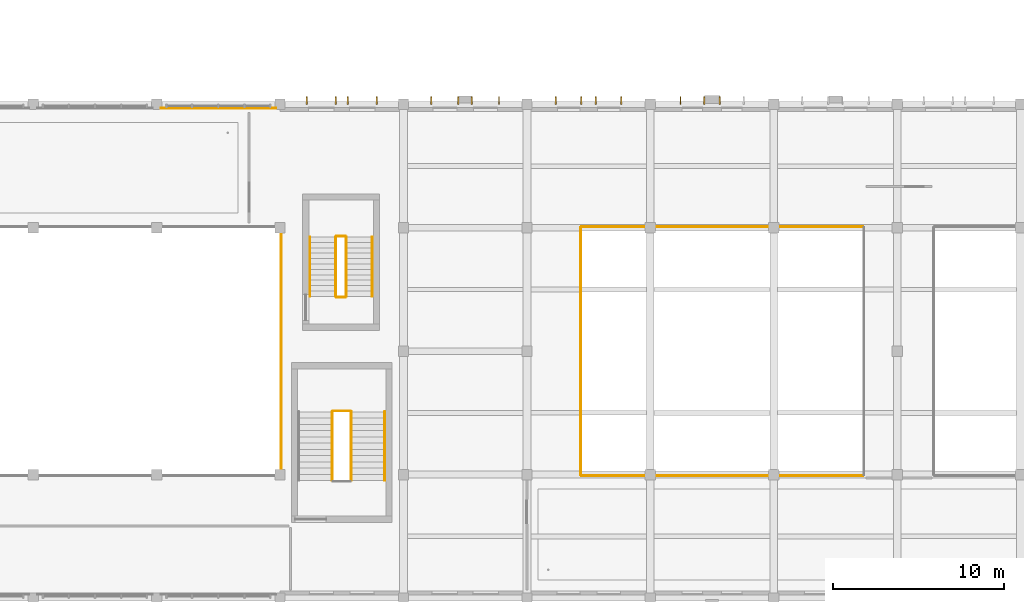
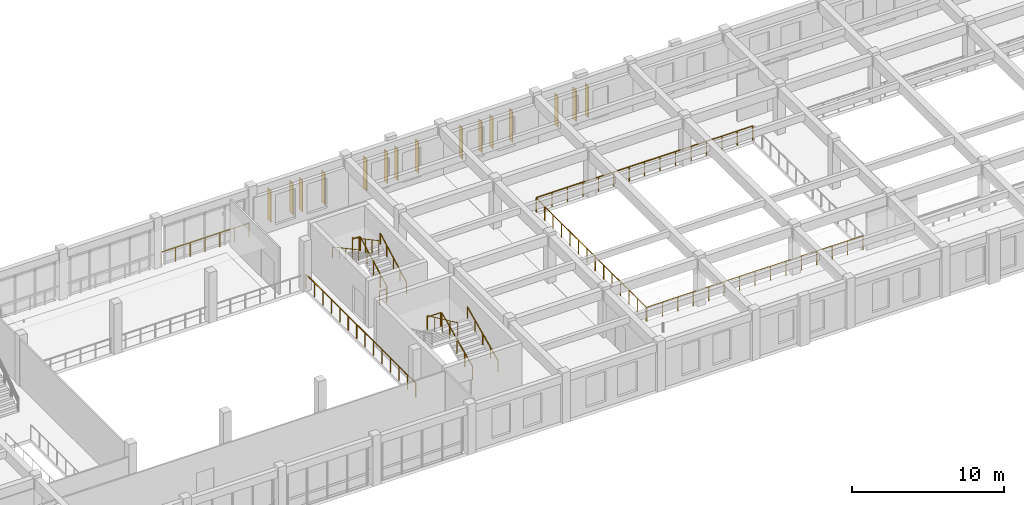
# One storey, part 75 of 88: 15 coverings, 15 railings.
"""IFC4 building model written with IfcOpenShell, lengths in metres."""

from ifc_helpers import new_model, si_unit, direction, frame, origin, origin_2d, place, context, subcontext, project, spatial, polyline, circle, outline, extrude, material, layer, layer_set, type_object, element, save


model = new_model("IFC4")

# Units and contexts
model_context = context("Model", 3, precision=1e-05, world=origin(), true_north=direction((0.0, 1.0)))
body_context = subcontext(model_context, "Body", "Model", "MODEL_VIEW")
ifc_project = project(units=[si_unit("LENGTHUNIT", "METRE"), si_unit("AREAUNIT", "SQUARE_METRE"), si_unit("VOLUMEUNIT", "CUBIC_METRE"), si_unit("PLANEANGLEUNIT", "RADIAN"), si_unit("MASSUNIT", "GRAM", prefix="KILO")], contexts=[model_context])

# Site, building, storey
site_placement = place(None, origin())
site = spatial("IfcSite", under=ifc_project, at=site_placement, CompositionType="ELEMENT")
building_placement = place(site_placement, origin())
building = spatial("IfcBuilding", under=site, at=building_placement, Name="Alvorim Cloister Faculty of Sciences", CompositionType="ELEMENT")
storey_placement = place(building_placement, frame((0.0, 0.0, 4.5)))
storey = spatial("IfcBuildingStorey", under=building, at=storey_placement, Name="L01", CompositionType="ELEMENT", Elevation=4.5)

# Coverings
ifc_material_1 = material(Name="Anodised Aluminium Alloy 6063-T6", Category="aluminium")
ifc_layer = layer(ifc_material_1, 0.054931640625)
ifc_layer_set = layer_set([ifc_layer], Name="Anodised Aluminium Alloy 6063-T6")
covering_type = type_object("IfcCoveringType", Name="COV-SHD-FIN", PredefinedType="CLADDING", material=ifc_layer_set)
for number, where, z_axis, x_axis, name in (
    (1, (102.360107421875, 28.800048828125, 0.389892578125), (0.0, 0.0, 1.0), (0.0, 1.0, 0.0), "L01 Brise-Soleil Vertical Fin COV-FIN-00574"),
    (2, (104.0400390625, 28.800048828125, 0.389892578125), (0.0, 0.0, 1.0), (0.0, 1.0, 0.0), "L01 Brise-Soleil Vertical Fin COV-FIN-00575"),
    (3, (104.760009765625, 28.800048828125, 0.389892578125), (0.0, 0.0, 1.0), (0.0, 1.0, 0.0), "L01 Brise-Soleil Vertical Fin COV-FIN-00576"),
    (4, (106.43994140625, 28.800048828125, 0.389892578125), (0.0, 0.0, 1.0), (0.0, 1.0, 0.0), "L01 Brise-Soleil Vertical Fin COV-FIN-00577"),
):
    element("IfcCovering", number, at=place(storey_placement, frame(where, z_axis=z_axis, x_axis=x_axis)), inside=storey, type_object=covering_type, Name=name, PredefinedType="CLADDING", context=body_context, shape_type="SweptSolid", body=[
        extrude(outline(polyline([(0.0, 0.0), (0.43994140625, 0.0), (0.43994140625, 2.56005859375), (0.0, 2.56005859375), (0.0, 0.0)])), frame((0.0, 0.02734375, 0.0), z_axis=(0.0, -1.0, 0.0), x_axis=(1.0, 0.0, 0.0)), (0.0, 0.0, 1.0), 0.054931640625),
    ])
for number, where, z_axis, x_axis, name in (
    (5, (109.626708984375, 28.800048828125, 0.389892578125), (0.0, 0.0, 1.0), (0.0, 1.0, 0.0), "L01 Brise-Soleil Vertical Fin COV-FIN-00578"),
    (6, (111.206787109375, 28.800048828125, 0.389892578125), (0.0, 0.0, 1.0), (0.0, 1.0, 0.0), "L01 Brise-Soleil Vertical Fin COV-FIN-00579"),
    (7, (111.993408203125, 28.800048828125, 0.389892578125), (0.0, 0.0, 1.0), (0.0, 1.0, 0.0), "L01 Brise-Soleil Vertical Fin COV-FIN-00580"),
    (8, (113.5732421875, 28.800048828125, 0.389892578125), (0.0, 0.0, 1.0), (0.0, 1.0, 0.0), "L01 Brise-Soleil Vertical Fin COV-FIN-00581"),
):
    element("IfcCovering", number, at=place(storey_placement, frame(where, z_axis=z_axis, x_axis=x_axis)), inside=storey, type_object=covering_type, Name=name, PredefinedType="CLADDING", context=body_context, shape_type="SweptSolid", body=[
        extrude(outline(polyline([(0.0, 0.0), (0.43994140625, 0.0), (0.43994140625, 2.5400390625), (0.0, 2.5400390625), (0.0, 0.0)])), frame((0.0, 0.02734375, 0.0), z_axis=(0.0, -1.0, 0.0), x_axis=(1.0, 0.0, 0.0)), (0.0, 0.0, 1.0), 0.054931640625),
    ])
for number, where, z_axis, x_axis, name in (
    (9, (116.893310546875, 28.800048828125, 0.389892578125), (0.0, 0.0, 1.0), (0.0, 1.0, 0.0), "L01 Brise-Soleil Vertical Fin COV-FIN-00582"),
    (10, (118.373291015625, 28.800048828125, 0.389892578125), (0.0, 0.0, 1.0), (0.0, 1.0, 0.0), "L01 Brise-Soleil Vertical Fin COV-FIN-00583"),
    (11, (119.226806640625, 28.800048828125, 0.389892578125), (0.0, 0.0, 1.0), (0.0, 1.0, 0.0), "L01 Brise-Soleil Vertical Fin COV-FIN-00584"),
    (12, (120.706787109375, 28.800048828125, 0.389892578125), (0.0, 0.0, 1.0), (0.0, 1.0, 0.0), "L01 Brise-Soleil Vertical Fin COV-FIN-00585"),
    (13, (124.159912109375, 28.800048828125, 0.389892578125), (0.0, 0.0, 1.0), (0.0, 1.0, 0.0), "L01 Brise-Soleil Vertical Fin COV-FIN-00586"),
    (14, (125.5400390625, 28.800048828125, 0.389892578125), (0.0, 0.0, 1.0), (0.0, 1.0, 0.0), "L01 Brise-Soleil Vertical Fin COV-FIN-00587"),
    (15, (126.4599609375, 28.800048828125, 0.389892578125), (0.0, 0.0, 1.0), (0.0, 1.0, 0.0), "L01 Brise-Soleil Vertical Fin COV-FIN-00588"),
):
    element("IfcCovering", number, at=place(storey_placement, frame(where, z_axis=z_axis, x_axis=x_axis)), inside=storey, type_object=covering_type, Name=name, PredefinedType="CLADDING", context=body_context, shape_type="SweptSolid", body=[
        extrude(outline(polyline([(0.0, 0.0), (0.43994140625, 0.0), (0.43994140625, 2.510009765625), (0.0, 2.510009765625), (0.0, 0.0)])), frame((0.0, 0.02734375, 0.0), z_axis=(0.0, -1.0, 0.0), x_axis=(1.0, 0.0, 0.0)), (0.0, 0.0, 1.0), 0.054931640625),
    ])

# Railings
ifc_material_2 = material(Name="Laminated Safety Glass and Bronze", Category="glass")
railing_type_1 = type_object("IfcRailingType", Name="RL-ATR-BAL-1150", PredefinedType="BALUSTRADE", material=ifc_material_2)
railing_1_placement = place(storey_placement, frame((93.85009765625, 28.580078125, 0.0)))
element("IfcRailing", 16, at=railing_1_placement, inside=storey, type_object=railing_type_1, Name="L01 Curtain Wall Sill Guard BL-30", PredefinedType="BALUSTRADE", context=body_context, shape_type="SweptSolid", body=[
    extrude(circle(Radius=0.02392578125, at=origin_2d()), frame((0.0, 0.0, 1.1259765625), z_axis=(1.0, 0.0, 0.0), x_axis=(0.0, 1.0, 0.0)), (0.0, 0.0, 1.0), 6.699951171875),
    extrude(circle(Radius=0.02099609375, at=origin_2d()), origin(), (0.0, 0.0, 1.0), 1.101806640625),
    extrude(circle(Radius=0.02099609375, at=origin_2d()), frame((1.11669921875, 0.0, 0.0)), (0.0, 0.0, 1.0), 1.101806640625),
    extrude(circle(Radius=0.02099609375, at=origin_2d()), frame((2.2333984375, 0.0, 0.0)), (0.0, 0.0, 1.0), 1.101806640625),
    extrude(circle(Radius=0.02099609375, at=origin_2d()), frame((3.35009765625, 0.0, 0.0)), (0.0, 0.0, 1.0), 1.101806640625),
    extrude(circle(Radius=0.02099609375, at=origin_2d()), frame((4.466552734375, 0.0, 0.0)), (0.0, 0.0, 1.0), 1.101806640625),
    extrude(circle(Radius=0.02099609375, at=origin_2d()), frame((5.583251953125, 0.0, 0.0)), (0.0, 0.0, 1.0), 1.101806640625),
    extrude(circle(Radius=0.02099609375, at=origin_2d()), frame((6.699951171875, 0.0, 0.0)), (0.0, 0.0, 1.0), 1.101806640625),
])
railing_2_placement = place(storey_placement, frame((100.860107421875, 7.18994140625, 0.0)))
element("IfcRailing", 17, at=railing_2_placement, inside=storey, type_object=railing_type_1, Name="L01 Atrium Void Balustrade BL-316", PredefinedType="BALUSTRADE", context=body_context, shape_type="SweptSolid", body=[
    extrude(circle(Radius=0.02392578125, at=origin_2d()), frame((0.0, 0.0, 1.1259765625), z_axis=(0.0, 1.0, 0.0), x_axis=(-1.0, 0.0, 0.0)), (0.0, 0.0, 1.0), 14.420166015625),
    extrude(circle(Radius=0.02099609375, at=origin_2d()), origin(), (0.0, 0.0, 1.0), 1.101806640625),
    extrude(circle(Radius=0.02099609375, at=origin_2d()), frame((0.0, 1.109130859375, 0.0)), (0.0, 0.0, 1.0), 1.101806640625),
    extrude(circle(Radius=0.02099609375, at=origin_2d()), frame((0.0, 2.218505859375, 0.0)), (0.0, 0.0, 1.0), 1.101806640625),
    extrude(circle(Radius=0.02099609375, at=origin_2d()), frame((0.0, 3.32763671875, 0.0)), (0.0, 0.0, 1.0), 1.101806640625),
    extrude(circle(Radius=0.02099609375, at=origin_2d()), frame((0.0, 4.43701171875, 0.0)), (0.0, 0.0, 1.0), 1.101806640625),
    extrude(circle(Radius=0.02099609375, at=origin_2d()), frame((0.0, 5.546142578125, 0.0)), (0.0, 0.0, 1.0), 1.101806640625),
    extrude(circle(Radius=0.02099609375, at=origin_2d()), frame((0.0, 6.655517578125, 0.0)), (0.0, 0.0, 1.0), 1.101806640625),
    extrude(circle(Radius=0.02099609375, at=origin_2d()), frame((0.0, 7.7646484375, 0.0)), (0.0, 0.0, 1.0), 1.101806640625),
    extrude(circle(Radius=0.02099609375, at=origin_2d()), frame((0.0, 8.8740234375, 0.0)), (0.0, 0.0, 1.0), 1.101806640625),
    extrude(circle(Radius=0.02099609375, at=origin_2d()), frame((0.0, 9.983154296875, 0.0)), (0.0, 0.0, 1.0), 1.101806640625),
    extrude(circle(Radius=0.02099609375, at=origin_2d()), frame((0.0, 11.092529296875, 0.0)), (0.0, 0.0, 1.0), 1.101806640625),
    extrude(circle(Radius=0.02099609375, at=origin_2d()), frame((0.0, 12.20166015625, 0.0)), (0.0, 0.0, 1.0), 1.101806640625),
    extrude(circle(Radius=0.02099609375, at=origin_2d()), frame((0.0, 13.31103515625, 0.0)), (0.0, 0.0, 1.0), 1.101806640625),
    extrude(circle(Radius=0.02099609375, at=origin_2d()), frame((0.0, 14.420166015625, 0.0)), (0.0, 0.0, 1.0), 1.101806640625),
])
railing_3_placement = place(storey_placement, frame((118.389892578125, 7.139892578125, 0.0)))
element("IfcRailing", 18, at=railing_3_placement, inside=storey, type_object=railing_type_1, Name="L01 Auditorium Gallery Balustrade 1.1", PredefinedType="BALUSTRADE", context=body_context, shape_type="SweptSolid", body=[
    extrude(circle(Radius=0.02392578125, at=origin_2d()), frame((0.0, 0.0, 1.1259765625), z_axis=(1.0, 0.0, 0.0), x_axis=(0.0, 1.0, 0.0)), (0.0, 0.0, 1.0), 16.420166015625),
    extrude(circle(Radius=0.02099609375, at=origin_2d()), origin(), (0.0, 0.0, 1.0), 1.101806640625),
    extrude(circle(Radius=0.02099609375, at=origin_2d()), frame((1.1728515625, 0.0, 0.0)), (0.0, 0.0, 1.0), 1.101806640625),
    extrude(circle(Radius=0.02099609375, at=origin_2d()), frame((2.345703125, 0.0, 0.0)), (0.0, 0.0, 1.0), 1.101806640625),
    extrude(circle(Radius=0.02099609375, at=origin_2d()), frame((3.5185546875, 0.0, 0.0)), (0.0, 0.0, 1.0), 1.101806640625),
    extrude(circle(Radius=0.02099609375, at=origin_2d()), frame((4.69140625, 0.0, 0.0)), (0.0, 0.0, 1.0), 1.101806640625),
    extrude(circle(Radius=0.02099609375, at=origin_2d()), frame((5.8642578125, 0.0, 0.0)), (0.0, 0.0, 1.0), 1.101806640625),
    extrude(circle(Radius=0.02099609375, at=origin_2d()), frame((7.037109375, 0.0, 0.0)), (0.0, 0.0, 1.0), 1.101806640625),
    extrude(circle(Radius=0.02099609375, at=origin_2d()), frame((8.2099609375, 0.0, 0.0)), (0.0, 0.0, 1.0), 1.101806640625),
    extrude(circle(Radius=0.02099609375, at=origin_2d()), frame((9.383056640625, 0.0, 0.0)), (0.0, 0.0, 1.0), 1.101806640625),
    extrude(circle(Radius=0.02099609375, at=origin_2d()), frame((10.555908203125, 0.0, 0.0)), (0.0, 0.0, 1.0), 1.101806640625),
    extrude(circle(Radius=0.02099609375, at=origin_2d()), frame((11.728759765625, 0.0, 0.0)), (0.0, 0.0, 1.0), 1.101806640625),
    extrude(circle(Radius=0.02099609375, at=origin_2d()), frame((12.901611328125, 0.0, 0.0)), (0.0, 0.0, 1.0), 1.101806640625),
    extrude(circle(Radius=0.02099609375, at=origin_2d()), frame((14.074462890625, 0.0, 0.0)), (0.0, 0.0, 1.0), 1.101806640625),
    extrude(circle(Radius=0.02099609375, at=origin_2d()), frame((15.247314453125, 0.0, 0.0)), (0.0, 0.0, 1.0), 1.101806640625),
    extrude(circle(Radius=0.02099609375, at=origin_2d()), frame((16.420166015625, 0.0, 0.0)), (0.0, 0.0, 1.0), 1.101806640625),
])
railing_4_placement = place(storey_placement, frame((134.81005859375, 21.659912109375, 0.0)))
element("IfcRailing", 19, at=railing_4_placement, inside=storey, type_object=railing_type_1, Name="L01 Auditorium Gallery Balustrade 1.3", PredefinedType="BALUSTRADE", context=body_context, shape_type="SweptSolid", body=[
    extrude(circle(Radius=0.02392578125, at=origin_2d()), frame((0.0, 0.0, 1.1259765625), z_axis=(-1.0, 0.0, 0.0), x_axis=(0.0, -1.0, 0.0)), (0.0, 0.0, 1.0), 16.420166015625),
    extrude(circle(Radius=0.02099609375, at=origin_2d()), origin(), (0.0, 0.0, 1.0), 1.101806640625),
    extrude(circle(Radius=0.02099609375, at=origin_2d()), frame((-1.1728515625, 0.0, 0.0)), (0.0, 0.0, 1.0), 1.101806640625),
    extrude(circle(Radius=0.02099609375, at=origin_2d()), frame((-2.345703125, 0.0, 0.0)), (0.0, 0.0, 1.0), 1.101806640625),
    extrude(circle(Radius=0.02099609375, at=origin_2d()), frame((-3.5185546875, 0.0, 0.0)), (0.0, 0.0, 1.0), 1.101806640625),
    extrude(circle(Radius=0.02099609375, at=origin_2d()), frame((-4.69140625, 0.0, 0.0)), (0.0, 0.0, 1.0), 1.101806640625),
    extrude(circle(Radius=0.02099609375, at=origin_2d()), frame((-5.8642578125, 0.0, 0.0)), (0.0, 0.0, 1.0), 1.101806640625),
    extrude(circle(Radius=0.02099609375, at=origin_2d()), frame((-7.037109375, 0.0, 0.0)), (0.0, 0.0, 1.0), 1.101806640625),
    extrude(circle(Radius=0.02099609375, at=origin_2d()), frame((-8.2099609375, 0.0, 0.0)), (0.0, 0.0, 1.0), 1.101806640625),
    extrude(circle(Radius=0.02099609375, at=origin_2d()), frame((-9.383056640625, 0.0, 0.0)), (0.0, 0.0, 1.0), 1.101806640625),
    extrude(circle(Radius=0.02099609375, at=origin_2d()), frame((-10.555908203125, 0.0, 0.0)), (0.0, 0.0, 1.0), 1.101806640625),
    extrude(circle(Radius=0.02099609375, at=origin_2d()), frame((-11.728759765625, 0.0, 0.0)), (0.0, 0.0, 1.0), 1.101806640625),
    extrude(circle(Radius=0.02099609375, at=origin_2d()), frame((-12.901611328125, 0.0, 0.0)), (0.0, 0.0, 1.0), 1.101806640625),
    extrude(circle(Radius=0.02099609375, at=origin_2d()), frame((-14.074462890625, 0.0, 0.0)), (0.0, 0.0, 1.0), 1.101806640625),
    extrude(circle(Radius=0.02099609375, at=origin_2d()), frame((-15.247314453125, 0.0, 0.0)), (0.0, 0.0, 1.0), 1.101806640625),
    extrude(circle(Radius=0.02099609375, at=origin_2d()), frame((-16.420166015625, 0.0, 0.0)), (0.0, 0.0, 1.0), 1.101806640625),
])
railing_5_placement = place(storey_placement, frame((118.340087890625, 21.610107421875, 0.0)))
element("IfcRailing", 20, at=railing_5_placement, inside=storey, type_object=railing_type_1, Name="L01 Auditorium Gallery Balustrade 1.4", PredefinedType="BALUSTRADE", context=body_context, shape_type="SweptSolid", body=[
    extrude(circle(Radius=0.02392578125, at=origin_2d()), frame((0.0, 0.0, 1.1259765625), z_axis=(0.0, -1.0, 0.0), x_axis=(1.0, 0.0, 0.0)), (0.0, 0.0, 1.0), 14.420166015625),
    extrude(circle(Radius=0.02099609375, at=origin_2d()), origin(), (0.0, 0.0, 1.0), 1.101806640625),
    extrude(circle(Radius=0.02099609375, at=origin_2d()), frame((0.0, -1.109130859375, 0.0)), (0.0, 0.0, 1.0), 1.101806640625),
    extrude(circle(Radius=0.02099609375, at=origin_2d()), frame((0.0, -2.218505859375, 0.0)), (0.0, 0.0, 1.0), 1.101806640625),
    extrude(circle(Radius=0.02099609375, at=origin_2d()), frame((0.0, -3.32763671875, 0.0)), (0.0, 0.0, 1.0), 1.101806640625),
    extrude(circle(Radius=0.02099609375, at=origin_2d()), frame((0.0, -4.43701171875, 0.0)), (0.0, 0.0, 1.0), 1.101806640625),
    extrude(circle(Radius=0.02099609375, at=origin_2d()), frame((0.0, -5.546142578125, 0.0)), (0.0, 0.0, 1.0), 1.101806640625),
    extrude(circle(Radius=0.02099609375, at=origin_2d()), frame((0.0, -6.655517578125, 0.0)), (0.0, 0.0, 1.0), 1.101806640625),
    extrude(circle(Radius=0.02099609375, at=origin_2d()), frame((0.0, -7.7646484375, 0.0)), (0.0, 0.0, 1.0), 1.101806640625),
    extrude(circle(Radius=0.02099609375, at=origin_2d()), frame((0.0, -8.8740234375, 0.0)), (0.0, 0.0, 1.0), 1.101806640625),
    extrude(circle(Radius=0.02099609375, at=origin_2d()), frame((0.0, -9.983154296875, 0.0)), (0.0, 0.0, 1.0), 1.101806640625),
    extrude(circle(Radius=0.02099609375, at=origin_2d()), frame((0.0, -11.092529296875, 0.0)), (0.0, 0.0, 1.0), 1.101806640625),
    extrude(circle(Radius=0.02099609375, at=origin_2d()), frame((0.0, -12.20166015625, 0.0)), (0.0, 0.0, 1.0), 1.101806640625),
    extrude(circle(Radius=0.02099609375, at=origin_2d()), frame((0.0, -13.31103515625, 0.0)), (0.0, 0.0, 1.0), 1.101806640625),
    extrude(circle(Radius=0.02099609375, at=origin_2d()), frame((0.0, -14.420166015625, 0.0)), (0.0, 0.0, 1.0), 1.101806640625),
])
ifc_material_3 = material(Name="Galvanised Painted Steel", Category="steel")
railing_type_2 = type_object("IfcRailingType", Name="RL-STR-GUARD", PredefinedType="GUARDRAIL", material=ifc_material_3)
railing_6_placement = place(storey_placement, frame((104.669921875, 17.60009765625, 0.168701171875)))
element("IfcRailing", 21, at=railing_6_placement, inside=storey, type_object=railing_type_2, Name="L01 ST-06 stair guard 1", PredefinedType="GUARDRAIL", context=body_context, shape_type="SweptSolid", body=[
    extrude(circle(Radius=0.02392578125, at=origin_2d()), frame((0.0, 0.0, 1.09619140625), z_axis=(0.0, 0.881476276595, 0.47222830686), x_axis=(-1.0, 0.0, 0.0)), (0.0, 0.0, 1.0), 3.9306640625),
    extrude(circle(Radius=0.02099609375, at=origin_2d()), origin(), (0.0, 0.0, 1.0), 1.072021484375),
    extrude(circle(Radius=0.02099609375, at=origin_2d()), frame((0.0, 0.8662109375, 0.464111328125)), (0.0, 0.0, 1.0), 1.072021484375),
    extrude(circle(Radius=0.02099609375, at=origin_2d()), frame((0.0, 1.732421875, 0.92822265625)), (0.0, 0.0, 1.0), 1.072021484375),
    extrude(circle(Radius=0.02099609375, at=origin_2d()), frame((0.0, 2.5986328125, 1.39208984375)), (0.0, 0.0, 1.0), 1.072021484375),
    extrude(circle(Radius=0.02099609375, at=origin_2d()), frame((0.0, 3.46484375, 1.856201171875)), (0.0, 0.0, 1.0), 1.072021484375),
])
railing_7_placement = place(storey_placement, frame((104.6201171875, 21.114990234375, 2.02490234375)))
element("IfcRailing", 22, at=railing_7_placement, inside=storey, type_object=railing_type_2, Name="L01 ST-06 stair guard 2", PredefinedType="GUARDRAIL", context=body_context, shape_type="SweptSolid", body=[
    extrude(circle(Radius=0.02392578125, at=origin_2d()), frame((0.0, 0.0, 1.09619140625), z_axis=(-1.0, 0.0, 0.0), x_axis=(0.0, -1.0, 0.0)), (0.0, 0.0, 1.0), 0.52001953125),
    extrude(circle(Radius=0.02099609375, at=origin_2d()), origin(), (0.0, 0.0, 1.0), 1.072021484375),
    extrude(circle(Radius=0.02099609375, at=origin_2d()), frame((-0.52001953125, 0.0, 0.0)), (0.0, 0.0, 1.0), 1.072021484375),
])
railing_8_placement = place(storey_placement, frame((104.050048828125, 21.06494140625, 2.19384765625)))
element("IfcRailing", 23, at=railing_8_placement, inside=storey, type_object=railing_type_2, Name="L01 ST-06 stair guard 3", PredefinedType="GUARDRAIL", context=body_context, shape_type="SweptSolid", body=[
    extrude(circle(Radius=0.02392578125, at=origin_2d()), frame((0.0, 0.0, 1.09619140625), z_axis=(0.0, -0.881476276595, 0.47222830686), x_axis=(1.0, 0.0, 0.0)), (0.0, 0.0, 1.0), 3.9306640625),
    extrude(circle(Radius=0.02099609375, at=origin_2d()), origin(), (0.0, 0.0, 1.0), 1.072021484375),
    extrude(circle(Radius=0.02099609375, at=origin_2d()), frame((0.0, -0.8662109375, 0.464111328125)), (0.0, 0.0, 1.0), 1.072021484375),
    extrude(circle(Radius=0.02099609375, at=origin_2d()), frame((0.0, -1.732421875, 0.92822265625)), (0.0, 0.0, 1.0), 1.072021484375),
    extrude(circle(Radius=0.02099609375, at=origin_2d()), frame((0.0, -2.5986328125, 1.39208984375)), (0.0, 0.0, 1.0), 1.072021484375),
    extrude(circle(Radius=0.02099609375, at=origin_2d()), frame((0.0, -3.46484375, 1.856201171875)), (0.0, 0.0, 1.0), 1.072021484375),
])
railing_9_placement = place(storey_placement, frame((104.6201171875, 17.550048828125, 0.0)))
element("IfcRailing", 24, at=railing_9_placement, inside=storey, type_object=railing_type_2, Name="L01 ST-06 stair guard 4", PredefinedType="GUARDRAIL", context=body_context, shape_type="SweptSolid", body=[
    extrude(circle(Radius=0.02392578125, at=origin_2d()), frame((0.0, 0.0, 1.09619140625), z_axis=(-1.0, 0.0, 0.0), x_axis=(0.0, -1.0, 0.0)), (0.0, 0.0, 1.0), 0.52001953125),
    extrude(circle(Radius=0.02099609375, at=origin_2d()), origin(), (0.0, 0.0, 1.0), 1.072021484375),
    extrude(circle(Radius=0.02099609375, at=origin_2d()), frame((-0.52001953125, 0.0, 0.0)), (0.0, 0.0, 1.0), 1.072021484375),
])
railing_10_placement = place(storey_placement, frame((104.9599609375, 6.85009765625, 0.168701171875)))
element("IfcRailing", 25, at=railing_10_placement, inside=storey, type_object=railing_type_2, Name="L01 ST-12 stair guard 1", PredefinedType="GUARDRAIL", context=body_context, shape_type="SweptSolid", body=[
    extrude(circle(Radius=0.02392578125, at=origin_2d()), frame((0.0, 0.0, 1.09619140625), z_axis=(0.0, 0.907686177169, 0.41964962025), x_axis=(-1.0, 0.0, 0.0)), (0.0, 0.0, 1.0), 4.423095703125),
    extrude(circle(Radius=0.02099609375, at=origin_2d()), origin(), (0.0, 0.0, 1.0), 1.072021484375),
    extrude(circle(Radius=0.02099609375, at=origin_2d()), frame((0.0, 1.003662109375, 0.464111328125)), (0.0, 0.0, 1.0), 1.072021484375),
    extrude(circle(Radius=0.02099609375, at=origin_2d()), frame((0.0, 2.00732421875, 0.92822265625)), (0.0, 0.0, 1.0), 1.072021484375),
    extrude(circle(Radius=0.02099609375, at=origin_2d()), frame((0.0, 3.01123046875, 1.39208984375)), (0.0, 0.0, 1.0), 1.072021484375),
    extrude(circle(Radius=0.02099609375, at=origin_2d()), frame((0.0, 4.014892578125, 1.856201171875)), (0.0, 0.0, 1.0), 1.072021484375),
])
railing_11_placement = place(storey_placement, frame((104.909912109375, 10.9150390625, 2.02490234375)))
element("IfcRailing", 26, at=railing_11_placement, inside=storey, type_object=railing_type_2, Name="L01 ST-12 stair guard 2", PredefinedType="GUARDRAIL", context=body_context, shape_type="SweptSolid", body=[
    extrude(circle(Radius=0.02392578125, at=origin_2d()), frame((0.0, 0.0, 1.09619140625), z_axis=(-1.0, 0.0, 0.0), x_axis=(0.0, -1.0, 0.0)), (0.0, 0.0, 1.0), 1.02001953125),
    extrude(circle(Radius=0.02099609375, at=origin_2d()), origin(), (0.0, 0.0, 1.0), 1.072021484375),
    extrude(circle(Radius=0.02099609375, at=origin_2d()), frame((-1.02001953125, 0.0, 0.0)), (0.0, 0.0, 1.0), 1.072021484375),
])
railing_12_placement = place(storey_placement, frame((103.840087890625, 10.864990234375, 2.19384765625)))
element("IfcRailing", 27, at=railing_12_placement, inside=storey, type_object=railing_type_2, Name="L01 ST-12 stair guard 3", PredefinedType="GUARDRAIL", context=body_context, shape_type="SweptSolid", body=[
    extrude(circle(Radius=0.02392578125, at=origin_2d()), frame((0.0, 0.0, 1.09619140625), z_axis=(0.0, -0.907686177169, 0.41964962025), x_axis=(1.0, 0.0, 0.0)), (0.0, 0.0, 1.0), 4.423095703125),
    extrude(circle(Radius=0.02099609375, at=origin_2d()), origin(), (0.0, 0.0, 1.0), 1.072021484375),
    extrude(circle(Radius=0.02099609375, at=origin_2d()), frame((0.0, -1.003662109375, 0.464111328125)), (0.0, 0.0, 1.0), 1.072021484375),
    extrude(circle(Radius=0.02099609375, at=origin_2d()), frame((0.0, -2.00732421875, 0.92822265625)), (0.0, 0.0, 1.0), 1.072021484375),
    extrude(circle(Radius=0.02099609375, at=origin_2d()), frame((0.0, -3.01123046875, 1.39208984375)), (0.0, 0.0, 1.0), 1.072021484375),
    extrude(circle(Radius=0.02099609375, at=origin_2d()), frame((0.0, -4.014892578125, 1.856201171875)), (0.0, 0.0, 1.0), 1.072021484375),
])
ifc_material_4 = material(Name="Brushed Stainless Steel", Category="steel")
railing_type_3 = type_object("IfcRailingType", Name="RL-STR-HAND", PredefinedType="HANDRAIL", material=ifc_material_4)
railing_13_placement = place(storey_placement, frame((106.169921875, 17.60009765625, 0.168701171875)))
element("IfcRailing", 28, at=railing_13_placement, inside=storey, type_object=railing_type_3, Name="L01 ST-06 stair handrail 1", PredefinedType="HANDRAIL", context=body_context, shape_type="SweptSolid", body=[
    extrude(circle(Radius=0.02392578125, at=origin_2d()), frame((0.0, 0.0, 0.8759765625), z_axis=(0.0, 0.881476276595, 0.47222830686), x_axis=(-1.0, 0.0, 0.0)), (0.0, 0.0, 1.0), 3.9306640625),
    extrude(circle(Radius=0.02099609375, at=origin_2d()), origin(), (0.0, 0.0, 1.0), 0.851806640625),
    extrude(circle(Radius=0.02099609375, at=origin_2d()), frame((0.0, 0.8662109375, 0.464111328125)), (0.0, 0.0, 1.0), 0.851806640625),
    extrude(circle(Radius=0.02099609375, at=origin_2d()), frame((0.0, 1.732421875, 0.92822265625)), (0.0, 0.0, 1.0), 0.851806640625),
    extrude(circle(Radius=0.02099609375, at=origin_2d()), frame((0.0, 2.5986328125, 1.39208984375)), (0.0, 0.0, 1.0), 0.851806640625),
    extrude(circle(Radius=0.02099609375, at=origin_2d()), frame((0.0, 3.46484375, 1.856201171875)), (0.0, 0.0, 1.0), 0.851806640625),
])
railing_14_placement = place(storey_placement, frame((102.550048828125, 21.06494140625, 2.19384765625)))
element("IfcRailing", 29, at=railing_14_placement, inside=storey, type_object=railing_type_3, Name="L01 ST-06 stair handrail 2", PredefinedType="HANDRAIL", context=body_context, shape_type="SweptSolid", body=[
    extrude(circle(Radius=0.02392578125, at=origin_2d()), frame((0.0, 0.0, 0.8759765625), z_axis=(0.0, -0.881476276595, 0.47222830686), x_axis=(1.0, 0.0, 0.0)), (0.0, 0.0, 1.0), 3.9306640625),
    extrude(circle(Radius=0.02099609375, at=origin_2d()), origin(), (0.0, 0.0, 1.0), 0.851806640625),
    extrude(circle(Radius=0.02099609375, at=origin_2d()), frame((0.0, -0.8662109375, 0.464111328125)), (0.0, 0.0, 1.0), 0.851806640625),
    extrude(circle(Radius=0.02099609375, at=origin_2d()), frame((0.0, -1.732421875, 0.92822265625)), (0.0, 0.0, 1.0), 0.851806640625),
    extrude(circle(Radius=0.02099609375, at=origin_2d()), frame((0.0, -2.5986328125, 1.39208984375)), (0.0, 0.0, 1.0), 0.851806640625),
    extrude(circle(Radius=0.02099609375, at=origin_2d()), frame((0.0, -3.46484375, 1.856201171875)), (0.0, 0.0, 1.0), 0.851806640625),
])
railing_15_placement = place(storey_placement, frame((106.909912109375, 6.85009765625, 0.168701171875)))
element("IfcRailing", 30, at=railing_15_placement, inside=storey, type_object=railing_type_3, Name="L01 ST-12 stair handrail 1", PredefinedType="HANDRAIL", context=body_context, shape_type="SweptSolid", body=[
    extrude(circle(Radius=0.02392578125, at=origin_2d()), frame((0.0, 0.0, 0.8759765625), z_axis=(0.0, 0.907686177169, 0.41964962025), x_axis=(-1.0, 0.0, 0.0)), (0.0, 0.0, 1.0), 4.423095703125),
    extrude(circle(Radius=0.02099609375, at=origin_2d()), origin(), (0.0, 0.0, 1.0), 0.851806640625),
    extrude(circle(Radius=0.02099609375, at=origin_2d()), frame((0.0, 1.003662109375, 0.464111328125)), (0.0, 0.0, 1.0), 0.851806640625),
    extrude(circle(Radius=0.02099609375, at=origin_2d()), frame((0.0, 2.00732421875, 0.92822265625)), (0.0, 0.0, 1.0), 0.851806640625),
    extrude(circle(Radius=0.02099609375, at=origin_2d()), frame((0.0, 3.01123046875, 1.39208984375)), (0.0, 0.0, 1.0), 0.851806640625),
    extrude(circle(Radius=0.02099609375, at=origin_2d()), frame((0.0, 4.014892578125, 1.856201171875)), (0.0, 0.0, 1.0), 0.851806640625),
])

save(model, "model.ifc")
